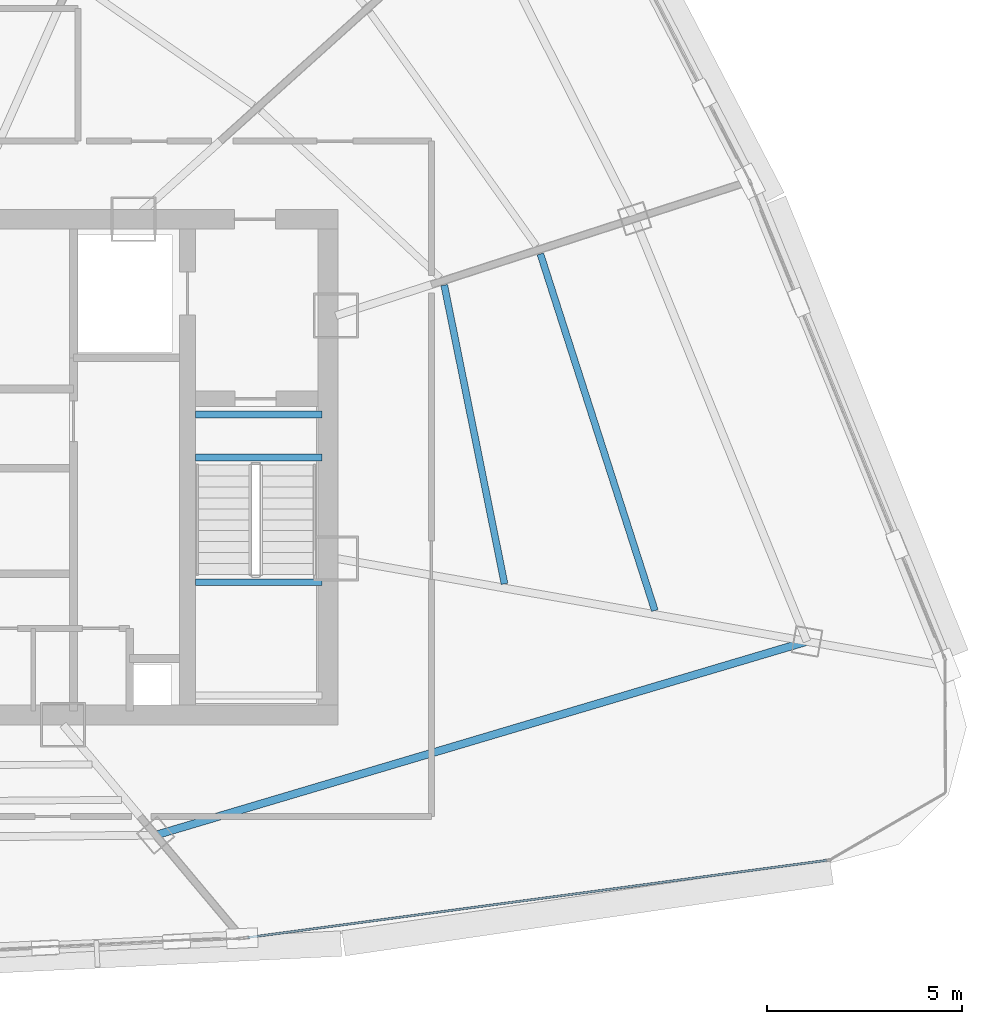
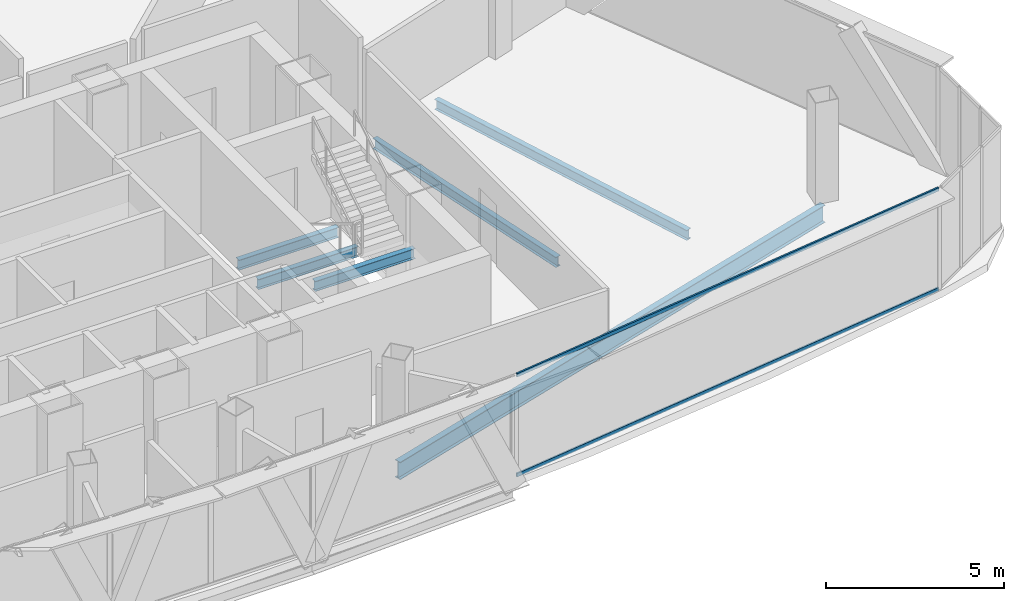
# One storey, part 12 of 28: 6 beams, 2 members, 1 element without a shape of its own.
"""IFC4 building model written with IfcOpenShell, lengths in metres."""

from ifc_helpers import new_model, si_unit, direction, frame, origin, origin_2d, place, context, subcontext, project, spatial, hollow_rectangle, i_section, extrude, source, transform, mapped, material, layer, layer_set, material_profile, profile_set, type_object, element, aggregate, save


model = new_model("IFC4")

# Units and contexts
model_context = context("Model", 3, precision=1e-05, world=origin(), true_north=direction((0.0, 1.0)))
body_context = subcontext(model_context, "Body", "Model", "MODEL_VIEW")
ifc_project = project(units=[si_unit("LENGTHUNIT", "METRE"), si_unit("AREAUNIT", "SQUARE_METRE"), si_unit("VOLUMEUNIT", "CUBIC_METRE"), si_unit("PLANEANGLEUNIT", "RADIAN"), si_unit("MASSUNIT", "GRAM", prefix="KILO"), si_unit("THERMODYNAMICTEMPERATUREUNIT", "KELVIN"), si_unit("POWERUNIT", "WATT")], contexts=[model_context])

# Site, building, storey
site_placement = place(None, origin())
site = spatial("IfcSite", under=ifc_project, at=site_placement, CompositionType="ELEMENT")
building_placement = place(site_placement, origin())
building = spatial("IfcBuilding", under=site, at=building_placement, Name="Yunzhuo Pagoda Commons", CompositionType="ELEMENT")
storey_placement = place(building_placement, frame((0.0, 0.0, 336.760009765625)))
storey = spatial("IfcBuildingStorey", under=building, at=storey_placement, Name="L84", CompositionType="ELEMENT", Elevation=336.760009765625)

# Beams
ifc_material_1 = material(Name="Structural steel Q355B", Category="steel")
ifc_material_profile_1 = material_profile(ifc_material_1, i_section(OverallWidth=0.175048828125, OverallDepth=0.35009765625, WebThickness=0.007080078125, FlangeThickness=0.010986328125, at=origin_2d()), Name="Structural steel Q355B")
ifc_profile_set_1 = profile_set([ifc_material_profile_1], Name="Structural steel Q355B")
beam_type_1 = type_object("IfcBeamType", Name="B-JS2 Joist HN 350x175x7x11", PredefinedType="JOIST", material=ifc_profile_set_1)
shared_shape_1 = source(origin(), body_context, "Body", "SweptSolid", [
    extrude(i_section(OverallWidth=0.175048828125, OverallDepth=0.35009765625, WebThickness=0.007080078125, FlangeThickness=0.010986328125, at=origin_2d()), origin(), (0.0, 0.0, 1.0), 3.25),
])
for number, where, z_axis, x_axis, name in (
    (1, (56.800048828125, 30.89990234375, 1.5), (1.0, 0.0, 0.0), (0.0, 1.0, 0.0), "L84 ST2 landing support beam 90B"),
    (2, (56.800048828125, 34.10009765625, -0.375), (1.0, 0.0, 0.0), (0.0, 1.0, 0.0), "L84 ST2 landing support beam 188A"),
    (3, (56.800048828125, 35.199951171875, -0.375), (1.0, 0.0, 0.0), (0.0, 1.0, 0.0), "L84 ST2 landing support beam 188B"),
):
    element("IfcBeam", number, at=place(storey_placement, frame(where, z_axis=z_axis, x_axis=x_axis)), inside=storey, type_object=beam_type_1, Name=name, PredefinedType="JOIST", context=body_context, shape_type="MappedRepresentation", body=[
        mapped(shared_shape_1, transform((0.0, 0.0, 0.0), scale=1.0)),
    ])
ifc_material_profile_2 = material_profile(ifc_material_1, i_section(OverallWidth=0.199951171875, OverallDepth=0.60009765625, WebThickness=0.010986328125, FlangeThickness=0.01708984375, at=origin_2d()), Name="Structural steel Q355B")
ifc_profile_set_2 = profile_set([ifc_material_profile_2], Name="Structural steel Q355B")
beam_type_2 = type_object("IfcBeamType", Name="B-RG3 Beam HN 600x200x11x17", PredefinedType="BEAM", material=ifc_profile_set_2)
shared_shape_2 = source(origin(), body_context, "Body", "SweptSolid", [
    extrude(i_section(OverallWidth=0.199951171875, OverallDepth=0.60009765625, WebThickness=0.010986328125, FlangeThickness=0.01708984375, at=origin_2d()), origin(), (0.0, 0.0, 1.0), 17.407470703125),
])
beam_1_placement = place(storey_placement, frame((55.785400390625, 24.421630859375, -0.56005859375), z_axis=(0.958484984609, 0.285143006717, 0.0), x_axis=(-0.285143006717, 0.958484984609, 0.0)))
element("IfcBeam", 4, at=beam_1_placement, inside=storey, type_object=beam_type_2, Name="L84 column-ring beam 4", PredefinedType="BEAM", context=body_context, shape_type="MappedRepresentation", body=[
    mapped(shared_shape_2, transform((0.0, 0.0, 0.0), scale=1.0)),
])
shared_shape_3 = source(origin(), body_context, "Body", "SweptSolid", [
    extrude(i_section(OverallWidth=0.175048828125, OverallDepth=0.35009765625, WebThickness=0.007080078125, FlangeThickness=0.010986328125, at=origin_2d()), origin(), (0.0, 0.0, 1.0), 7.8056640625),
])
beam_2_placement = place(storey_placement, frame((64.722412109375, 30.860107421875, -0.43505859375), z_axis=(-0.197830082137, 0.980236327934, 0.0), x_axis=(-0.980236327934, -0.197830082137, 0.0)))
element("IfcBeam", 5, at=beam_2_placement, inside=storey, type_object=beam_type_1, Name="L84 composite ring joist 1.5", PredefinedType="JOIST", context=body_context, shape_type="MappedRepresentation", body=[
    mapped(shared_shape_3, transform((0.0, 0.0, 0.0), scale=1.0)),
])
shared_shape_4 = source(origin(), body_context, "Body", "SweptSolid", [
    extrude(i_section(OverallWidth=0.175048828125, OverallDepth=0.35009765625, WebThickness=0.007080078125, FlangeThickness=0.010986328125, at=origin_2d()), origin(), (0.0, 0.0, 1.0), 9.593994140625),
])
beam_3_placement = place(storey_placement, frame((68.572509765625, 30.17578125, -0.43505859375), z_axis=(-0.305719218499, 0.952121714614, 0.0), x_axis=(-0.952121714614, -0.305719218499, 0.0)))
element("IfcBeam", 6, at=beam_3_placement, inside=storey, type_object=beam_type_1, Name="L84 composite ring joist 2.5", PredefinedType="JOIST", context=body_context, shape_type="MappedRepresentation", body=[
    mapped(shared_shape_4, transform((0.0, 0.0, 0.0), scale=1.0)),
])

# Curtain wall, members
ifc_material_2 = material(Name="Anodized aluminium 6063-T6", Category="aluminium")
ifc_layer = layer(ifc_material_2, 0.139892578125)
ifc_layer_set = layer_set([ifc_layer], Name="Anodized aluminium 6063-T6")
curtain_wall_type = type_object("IfcCurtainWallType", Name="CW-HI High-Zone Ribbon Curtain Wall", PredefinedType="NOTDEFINED", material=ifc_layer_set)
curtain_wall_placement = place(storey_placement, origin())
curtain_wall = element("IfcCurtainWall", 7, at=curtain_wall_placement, inside=storey, type_object=curtain_wall_type, Name="L84 curtain wall CW-L84-F1B5", PredefinedType="NOTDEFINED")
ifc_material_profile_3 = material_profile(ifc_material_2, hollow_rectangle(XDim=0.054931640625, YDim=0.1201171875, WallThickness=0.00341796875, at=origin_2d()), Name="Anodized aluminium 6063-T6")
ifc_profile_set_3 = profile_set([ifc_material_profile_3], Name="Anodized aluminium 6063-T6")
member_type = type_object("IfcMemberType", Name="CW-HI-T Transom RHS 120x55x3.5", PredefinedType="USERDEFINED", material=ifc_profile_set_3)
shared_shape_5 = source(origin(), body_context, "Body", "SweptSolid", [
    extrude(hollow_rectangle(XDim=0.054931640625, YDim=0.1201171875, WallThickness=0.00341796875, at=origin_2d()), origin(), (0.0, 0.0, 1.0), 14.9833984375),
])
member_1_placement = place(storey_placement, frame((58.134765625, 21.79931640625, 0.027587890625), z_axis=(0.9912411303, 0.132064460024, 0.0), x_axis=(-0.132064460024, 0.9912411303, 0.0)))
member_1 = element("IfcMember", 8, at=member_1_placement, type_object=member_type, Name="CW transom 1.1", ObjectType="TRANSOM", PredefinedType="USERDEFINED", context=body_context, shape_type="MappedRepresentation", body=[
    mapped(shared_shape_5, transform((0.0, 0.0, 0.0), scale=1.0)),
])
member_2_placement = place(storey_placement, frame((58.134765625, 21.79931640625, 3.46240234375), z_axis=(0.9912411303, 0.132064460024, 0.0), x_axis=(-0.132064460024, 0.9912411303, 0.0)))
member_2 = element("IfcMember", 9, at=member_2_placement, type_object=member_type, Name="CW transom 1.2", ObjectType="TRANSOM", PredefinedType="USERDEFINED", context=body_context, shape_type="MappedRepresentation", body=[
    mapped(shared_shape_5, transform((0.0, 0.0, 0.0), scale=1.0)),
])
aggregate(curtain_wall, [member_1, member_2])

save(model, "model.ifc")
